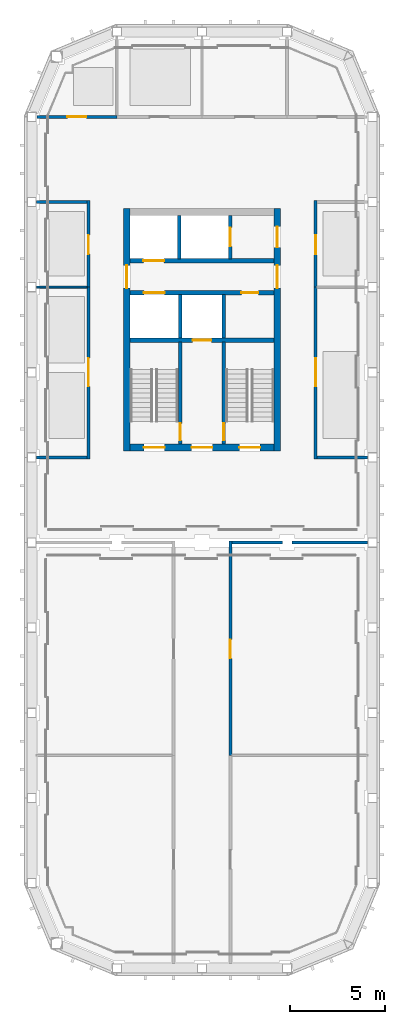
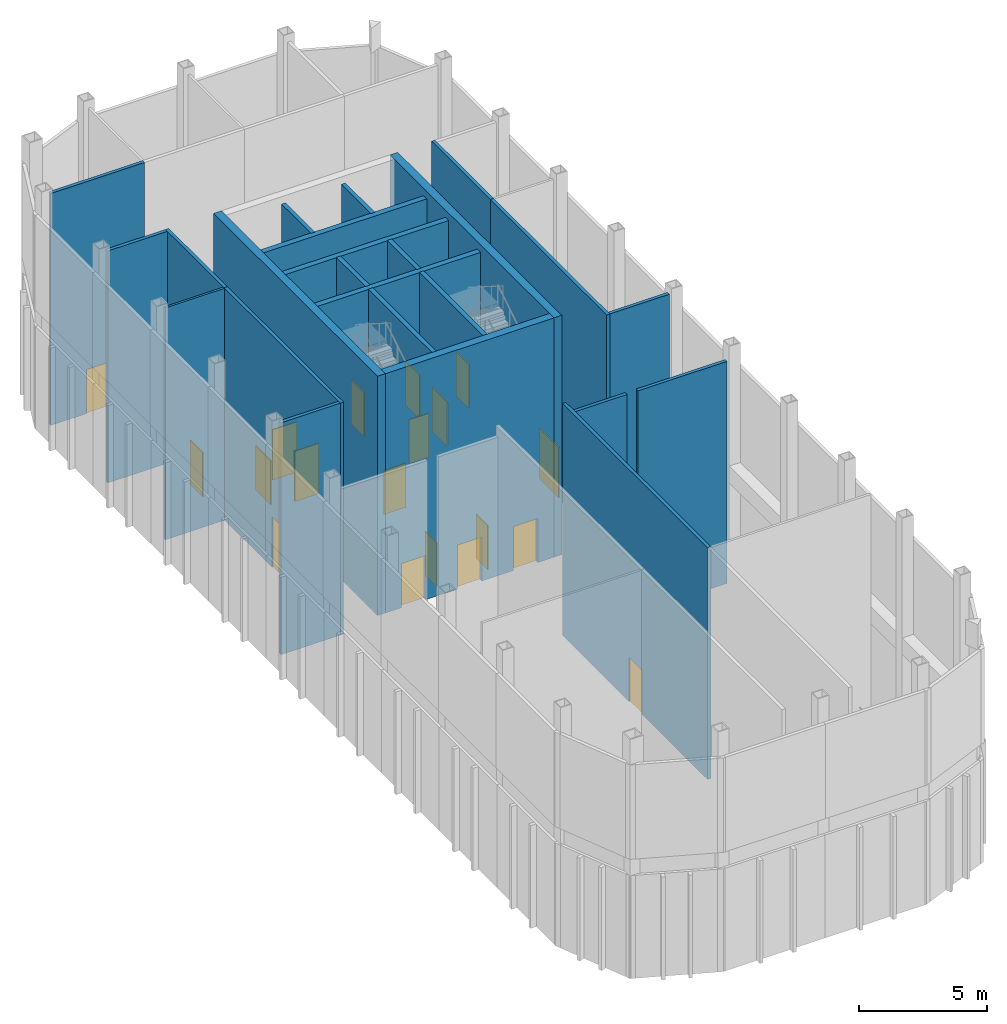
# One storey, part 2 of 8: 24 walls, 19 doors, 19 openings.
"""IFC4 building model written with IfcOpenShell, lengths in metres."""

from ifc_helpers import new_model, si_unit, direction, frame, frame_2d, origin, place, context, subcontext, project, spatial, rectangle, extrude, material, layer, layer_set, type_object, element, fill, save


model = new_model("IFC4")

# Units and contexts
model_context = context("Model", 3, precision=1e-05, world=origin(), true_north=direction((0.0, 1.0)))
body_context = subcontext(model_context, "Body", "Model", "MODEL_VIEW")
ifc_project = project(units=[si_unit("LENGTHUNIT", "METRE"), si_unit("AREAUNIT", "SQUARE_METRE"), si_unit("VOLUMEUNIT", "CUBIC_METRE"), si_unit("PLANEANGLEUNIT", "RADIAN"), si_unit("MASSUNIT", "GRAM", prefix="KILO")], contexts=[model_context])

# Site, building, storey
site_placement = place(None, origin())
site = spatial("IfcSite", under=ifc_project, at=site_placement, CompositionType="ELEMENT")
building_placement = place(site_placement, origin())
building = spatial("IfcBuilding", under=site, at=building_placement, Name="Girih Gate Residences", CompositionType="ELEMENT")
storey_placement = place(building_placement, frame((0.0, 0.0, 235.695068359375)))
storey = spatial("IfcBuildingStorey", under=building, at=storey_placement, Name="L66", CompositionType="ELEMENT", Elevation=235.695068359375)

# Wall, opening, door
ifc_material_1 = material(Name="Gypsum board on steel studs", Category="steel")
ifc_layer_1 = layer(ifc_material_1, 0.14990234375)
ifc_layer_set_1 = layer_set([ifc_layer_1], Name="Compartment wall 150 mm")
wall_type_1 = type_object("IfcWallType", Name="Compartment wall 150 mm", PredefinedType="PARTITIONING", material=ifc_layer_set_1)
wall_1_placement = place(storey_placement, frame((15.0, 36.0, 0.0), z_axis=(0.0, 0.0, 1.0), x_axis=(0.0, -1.0, 0.0)))
wall_1 = element("IfcWall", 1, at=wall_1_placement, inside=storey, type_object=wall_type_1, Name="L66 partition", PredefinedType="PARTITIONING", context=body_context, shape_type="SweptSolid", body=[
    extrude(rectangle(XDim=9.074951171875, YDim=0.14990234375, at=frame_2d((4.53759765625, 0.0))), origin(), (0.0, 0.0, 1.0), 11.050048828125),
])
opening_1_placement = place(wall_1_placement, frame((3.75, 0.0, 0.0)))
opening_1 = element("IfcOpeningElement", 2, at=opening_1_placement, cuts=wall_1, Name="Opening D-L66-S-001", PredefinedType="OPENING", context=body_context, shape_type="SweptSolid", body=[
    extrude(rectangle(XDim=1.5, YDim=2.39990234375, at=frame_2d((0.75, 1.199951171875))), frame((0.0, 0.0849609375, 0.0), z_axis=(0.0, -1.0, 0.0), x_axis=(1.0, 0.0, 0.0)), (0.0, 0.0, 1.0), 0.169921875),
])
ifc_material_2 = material(Name="Painted steel, fire-resisting", Category="steel")
door_type_1 = type_object("IfcDoorType", Name="Plant room door pair 1500x2400 FD60", OperationType="DOUBLE_DOOR_SINGLE_SWING", PredefinedType="DOOR", material=ifc_material_2)
door_1_placement = place(opening_1_placement, origin())
door_1 = element("IfcDoor", 3, at=door_1_placement, inside=storey, type_object=door_type_1, Name="Door L66-001", OperationType="DOUBLE_DOOR_SINGLE_SWING", OverallHeight=2.39990234375, OverallWidth=1.5, PredefinedType="DOOR", context=body_context, shape_type="SweptSolid", body=[
    extrude(rectangle(XDim=1.5, YDim=2.39990234375, at=frame_2d((0.75, 1.199951171875))), frame((0.0, 0.02490234375, 0.0), z_axis=(0.0, -1.0, 0.0), x_axis=(1.0, 0.0, 0.0)), (0.0, 0.0, 1.0), 0.050048828125),
])
fill(opening_1, door_1)

wall_2_placement = place(storey_placement, frame((15.0, 40.574951171875, 0.0), z_axis=(0.0, 0.0, 1.0), x_axis=(0.0, -1.0, 0.0)))
wall_2 = element("IfcWall", 4, at=wall_2_placement, inside=storey, type_object=wall_type_1, Name="L66 partition", PredefinedType="PARTITIONING", context=body_context, shape_type="SweptSolid", body=[
    extrude(rectangle(XDim=4.574951171875, YDim=0.14990234375, at=frame_2d((2.28759765625, 0.0))), origin(), (0.0, 0.0, 1.0), 11.050048828125),
])
opening_2_placement = place(wall_2_placement, frame((1.824951171875, 0.0, 0.0)))
opening_2 = element("IfcOpeningElement", 5, at=opening_2_placement, cuts=wall_2, Name="Opening D-L66-S-002", PredefinedType="OPENING", context=body_context, shape_type="SweptSolid", body=[
    extrude(rectangle(XDim=1.0, YDim=2.10009765625, at=frame_2d((0.5, 1.050048828125))), frame((0.0, 0.0849609375, 0.0), z_axis=(0.0, -1.0, 0.0), x_axis=(1.0, 0.0, 0.0)), (0.0, 0.0, 1.0), 0.169921875),
])
door_type_2 = type_object("IfcDoorType", Name="Plant room door 1000x2100 FD60", OperationType="SINGLE_SWING_LEFT", PredefinedType="DOOR", material=ifc_material_2)
door_2_placement = place(opening_2_placement, origin())
door_2 = element("IfcDoor", 6, at=door_2_placement, inside=storey, type_object=door_type_2, Name="Door L66-002", OperationType="SINGLE_SWING_RIGHT", OverallHeight=2.10009765625, OverallWidth=1.0, PredefinedType="DOOR", context=body_context, shape_type="SweptSolid", body=[
    extrude(rectangle(XDim=1.0, YDim=2.10009765625, at=frame_2d((0.5, 1.050048828125))), frame((0.0, 0.02490234375, 0.0), z_axis=(0.0, -1.0, 0.0), x_axis=(1.0, 0.0, 0.0)), (0.0, 0.0, 1.0), 0.050048828125),
])
fill(opening_2, door_2)

wall_3_placement = place(storey_placement, frame((3.0, 26.925048828125, 0.0), z_axis=(0.0, 0.0, 1.0), x_axis=(0.0, 1.0, 0.0)))
wall_3 = element("IfcWall", 7, at=wall_3_placement, inside=storey, type_object=wall_type_1, Name="L66 partition", PredefinedType="PARTITIONING", context=body_context, shape_type="SweptSolid", body=[
    extrude(rectangle(XDim=9.074951171875, YDim=0.14990234375, at=frame_2d((4.53759765625, 0.0))), origin(), (0.0, 0.0, 1.0), 11.050048828125),
])
opening_3_placement = place(wall_3_placement, frame((3.824951171875, 0.0, 0.0)))
opening_3 = element("IfcOpeningElement", 8, at=opening_3_placement, cuts=wall_3, Name="Opening D-L66-S-003", PredefinedType="OPENING", context=body_context, shape_type="SweptSolid", body=[
    extrude(rectangle(XDim=1.5, YDim=2.39990234375, at=frame_2d((0.75, 1.199951171875))), frame((0.0, 0.0849609375, 0.0), z_axis=(0.0, -1.0, 0.0), x_axis=(1.0, 0.0, 0.0)), (0.0, 0.0, 1.0), 0.169921875),
])
door_3_placement = place(opening_3_placement, origin())
door_3 = element("IfcDoor", 9, at=door_3_placement, inside=storey, type_object=door_type_1, Name="Door L66-003", OperationType="DOUBLE_DOOR_SINGLE_SWING", OverallHeight=2.39990234375, OverallWidth=1.5, PredefinedType="DOOR", context=body_context, shape_type="SweptSolid", body=[
    extrude(rectangle(XDim=1.5, YDim=2.39990234375, at=frame_2d((0.75, 1.199951171875))), frame((0.0, 0.02490234375, 0.0), z_axis=(0.0, -1.0, 0.0), x_axis=(1.0, 0.0, 0.0)), (0.0, 0.0, 1.0), 0.050048828125),
])
fill(opening_3, door_3)

wall_4_placement = place(storey_placement, frame((3.0, 36.0, 0.0), z_axis=(0.0, 0.0, 1.0), x_axis=(0.0, 1.0, 0.0)))
wall_4 = element("IfcWall", 10, at=wall_4_placement, inside=storey, type_object=wall_type_1, Name="L66 partition", PredefinedType="PARTITIONING", context=body_context, shape_type="SweptSolid", body=[
    extrude(rectangle(XDim=4.574951171875, YDim=0.14990234375, at=frame_2d((2.28759765625, 0.0))), origin(), (0.0, 0.0, 1.0), 11.050048828125),
])
opening_4_placement = place(wall_4_placement, frame((1.75, 0.0, 0.0)))
opening_4 = element("IfcOpeningElement", 11, at=opening_4_placement, cuts=wall_4, Name="Opening D-L66-S-004", PredefinedType="OPENING", context=body_context, shape_type="SweptSolid", body=[
    extrude(rectangle(XDim=1.0, YDim=2.10009765625, at=frame_2d((0.5, 1.050048828125))), frame((0.0, 0.0849609375, 0.0), z_axis=(0.0, -1.0, 0.0), x_axis=(1.0, 0.0, 0.0)), (0.0, 0.0, 1.0), 0.169921875),
])
door_4_placement = place(opening_4_placement, origin())
door_4 = element("IfcDoor", 12, at=door_4_placement, inside=storey, type_object=door_type_2, Name="Door L66-004", OperationType="SINGLE_SWING_LEFT", OverallHeight=2.10009765625, OverallWidth=1.0, PredefinedType="DOOR", context=body_context, shape_type="SweptSolid", body=[
    extrude(rectangle(XDim=1.0, YDim=2.10009765625, at=frame_2d((0.5, 1.050048828125))), frame((0.0, 0.02490234375, 0.0), z_axis=(0.0, -1.0, 0.0), x_axis=(1.0, 0.0, 0.0)), (0.0, 0.0, 1.0), 0.050048828125),
])
fill(opening_4, door_4)

# Walls
for number, where, z_axis, x_axis, name in (
    (13, (15.074951171875, 27.0, 0.0), (0.0, 0.0, 1.0), (1.0, 0.0, 0.0), "L66 partition"),
    (14, (0.25, 27.0, 0.0), (0.0, 0.0, 1.0), (1.0, 0.0, 0.0), "L66 partition"),
):
    element("IfcWall", number, at=place(storey_placement, frame(where, z_axis=z_axis, x_axis=x_axis)), inside=storey, type_object=wall_type_1, Name=name, PredefinedType="PARTITIONING", context=body_context, shape_type="SweptSolid", body=[
        extrude(rectangle(XDim=2.675048828125, YDim=0.14990234375, at=frame_2d((1.33740234375, 0.0))), origin(), (0.0, 0.0, 1.0), 11.050048828125),
    ])
wall_5_placement = place(storey_placement, frame((13.75, 22.5, 0.0), z_axis=(0.0, 0.0, 1.0), x_axis=(1.0, 0.0, 0.0)))
element("IfcWall", 15, at=wall_5_placement, inside=storey, type_object=wall_type_1, Name="L66 partition", PredefinedType="PARTITIONING", context=body_context, shape_type="SweptSolid", body=[
    extrude(rectangle(XDim=4.0, YDim=0.14990234375, at=frame_2d((2.0, 0.0))), origin(), (0.0, 0.0, 1.0), 10.579833984375),
])
wall_6_placement = place(storey_placement, frame((10.574951171875, 22.5, 0.0), z_axis=(0.0, 0.0, 1.0), x_axis=(1.0, 0.0, 0.0)))
element("IfcWall", 16, at=wall_6_placement, inside=storey, type_object=wall_type_1, Name="L66 partition", PredefinedType="PARTITIONING", context=body_context, shape_type="SweptSolid", body=[
    extrude(rectangle(XDim=2.675048828125, YDim=0.14990234375, at=frame_2d((1.33740234375, 0.0))), origin(), (0.0, 0.0, 1.0), 10.579833984375),
])

# Wall, opening, door
wall_7_placement = place(storey_placement, frame((0.2705078125, 45.0, 0.0), z_axis=(0.0, 0.0, 1.0), x_axis=(1.0, 0.0, 0.0)))
wall_7 = element("IfcWall", 17, at=wall_7_placement, inside=storey, type_object=wall_type_1, Name="L66 partition", PredefinedType="PARTITIONING", context=body_context, shape_type="SweptSolid", body=[
    extrude(rectangle(XDim=4.2294921875, YDim=0.14990234375, at=frame_2d((2.11474609375, 0.0))), origin(), (0.0, 0.0, 1.0), 11.050048828125),
])
opening_5_placement = place(wall_7_placement, frame((1.61474609375, 0.0, 0.0)))
opening_5 = element("IfcOpeningElement", 18, at=opening_5_placement, cuts=wall_7, Name="Opening D-L66-S-005", PredefinedType="OPENING", context=body_context, shape_type="SweptSolid", body=[
    extrude(rectangle(XDim=1.0, YDim=2.10009765625, at=frame_2d((0.5, 1.050048828125))), frame((0.0, 0.0849609375, 0.0), z_axis=(0.0, -1.0, 0.0), x_axis=(1.0, 0.0, 0.0)), (0.0, 0.0, 1.0), 0.169921875),
])
door_5_placement = place(opening_5_placement, origin())
door_5 = element("IfcDoor", 19, at=door_5_placement, inside=storey, type_object=door_type_2, Name="Door L66-005", OperationType="SINGLE_SWING_RIGHT", OverallHeight=2.10009765625, OverallWidth=1.0, PredefinedType="DOOR", context=body_context, shape_type="SweptSolid", body=[
    extrude(rectangle(XDim=1.0, YDim=2.10009765625, at=frame_2d((0.5, 1.050048828125))), frame((0.0, 0.02490234375, 0.0), z_axis=(0.0, -1.0, 0.0), x_axis=(1.0, 0.0, 0.0)), (0.0, 0.0, 1.0), 0.050048828125),
])
fill(opening_5, door_5)

# Wall
wall_8_placement = place(storey_placement, frame((0.25, 40.5, 0.0), z_axis=(0.0, 0.0, 1.0), x_axis=(1.0, 0.0, 0.0)))
element("IfcWall", 20, at=wall_8_placement, inside=storey, type_object=wall_type_1, Name="L66 partition", PredefinedType="PARTITIONING", context=body_context, shape_type="SweptSolid", body=[
    extrude(rectangle(XDim=2.675048828125, YDim=0.14990234375, at=frame_2d((1.33740234375, 0.0))), origin(), (0.0, 0.0, 1.0), 11.050048828125),
])

# Wall, opening, door
wall_9_placement = place(storey_placement, frame((10.5, 22.574951171875, 0.0), z_axis=(0.0, 0.0, 1.0), x_axis=(0.0, -1.0, 0.0)))
wall_9 = element("IfcWall", 21, at=wall_9_placement, inside=storey, type_object=wall_type_1, Name="L66 partition", PredefinedType="PARTITIONING", context=body_context, shape_type="SweptSolid", body=[
    extrude(rectangle(XDim=11.324951171875, YDim=0.14990234375, at=frame_2d((5.66259765625, 0.0))), origin(), (0.0, 0.0, 1.0), 11.050048828125),
])
opening_6_placement = place(wall_9_placement, frame((5.199951171875, 0.0, 0.0)))
opening_6 = element("IfcOpeningElement", 22, at=opening_6_placement, cuts=wall_9, Name="Opening D-L66-S-012", PredefinedType="OPENING", context=body_context, shape_type="SweptSolid", body=[
    extrude(rectangle(XDim=1.0, YDim=2.10009765625, at=frame_2d((0.5, 1.050048828125))), frame((0.0, 0.0849609375, 0.0), z_axis=(0.0, -1.0, 0.0), x_axis=(1.0, 0.0, 0.0)), (0.0, 0.0, 1.0), 0.169921875),
])
door_6_placement = place(opening_6_placement, origin())
door_6 = element("IfcDoor", 23, at=door_6_placement, inside=storey, type_object=door_type_2, Name="Door L66-012", OperationType="SINGLE_SWING_RIGHT", OverallHeight=2.10009765625, OverallWidth=1.0, PredefinedType="DOOR", context=body_context, shape_type="SweptSolid", body=[
    extrude(rectangle(XDim=1.0, YDim=2.10009765625, at=frame_2d((0.5, 1.050048828125))), frame((0.0, 0.02490234375, 0.0), z_axis=(0.0, -1.0, 0.0), x_axis=(1.0, 0.0, 0.0)), (0.0, 0.0, 1.0), 0.050048828125),
])
fill(opening_6, door_6)

# Wall, openings, doors
ifc_material_3 = material(Name="Concrete C60/75", Category="concrete")
ifc_layer_2 = layer(ifc_material_3, 0.35009765625)
ifc_layer_set_2 = layer_set([ifc_layer_2], Name="Core wall RC 350 Concrete C60/75")
wall_type_2 = type_object("IfcWallType", Name="Core wall RC 350 Concrete C60/75", PredefinedType="SOLIDWALL", material=ifc_layer_set_2)
wall_10_placement = place(storey_placement, frame((5.199951171875, 27.52490234375, 0.0), z_axis=(0.0, 0.0, 1.0), x_axis=(1.0, 0.0, 0.0)))
wall_10 = element("IfcWall", 24, at=wall_10_placement, inside=storey, type_object=wall_type_2, Name="Core wall W-S L66", PredefinedType="SOLIDWALL", context=body_context, shape_type="SweptSolid", body=[
    extrude(rectangle(XDim=7.60009765625, YDim=0.35009765625, at=frame_2d((3.800048828125, 0.0))), origin(), (0.0, 0.0, 1.0), 11.39990234375),
])
opening_7_placement = place(wall_10_placement, frame((0.72509765625, 0.0, 0.0)))
opening_7 = element("IfcOpeningElement", 25, at=opening_7_placement, cuts=wall_10, Name="Opening D-L66-W-008", PredefinedType="OPENING", context=body_context, shape_type="SweptSolid", body=[
    extrude(rectangle(XDim=1.10009765625, YDim=2.10009765625, at=frame_2d((0.550048828125, 1.050048828125))), frame((0.0, 0.18505859375, 0.0), z_axis=(0.0, -1.0, 0.0), x_axis=(1.0, 0.0, 0.0)), (0.0, 0.0, 1.0), 0.3701171875),
])
opening_8_placement = place(wall_10_placement, frame((3.25, 0.0, 0.0)))
opening_8 = element("IfcOpeningElement", 26, at=opening_8_placement, cuts=wall_10, Name="Opening D-L66-W-009", PredefinedType="OPENING", context=body_context, shape_type="SweptSolid", body=[
    extrude(rectangle(XDim=1.10009765625, YDim=2.10009765625, at=frame_2d((0.550048828125, 1.050048828125))), frame((0.0, 0.18505859375, 0.0), z_axis=(0.0, -1.0, 0.0), x_axis=(1.0, 0.0, 0.0)), (0.0, 0.0, 1.0), 0.3701171875),
])
opening_9_placement = place(wall_10_placement, frame((5.77490234375, 0.0, 0.0)))
opening_9 = element("IfcOpeningElement", 27, at=opening_9_placement, cuts=wall_10, Name="Opening D-L66-W-010", PredefinedType="OPENING", context=body_context, shape_type="SweptSolid", body=[
    extrude(rectangle(XDim=1.10009765625, YDim=2.10009765625, at=frame_2d((0.550048828125, 1.050048828125))), frame((0.0, 0.18505859375, 0.0), z_axis=(0.0, -1.0, 0.0), x_axis=(1.0, 0.0, 0.0)), (0.0, 0.0, 1.0), 0.3701171875),
])
door_type_3 = type_object("IfcDoorType", Name="Fire door 1100x2100", OperationType="SINGLE_SWING_LEFT", PredefinedType="DOOR", material=ifc_material_2)
door_7_placement = place(opening_7_placement, origin())
door_7 = element("IfcDoor", 28, at=door_7_placement, inside=storey, type_object=door_type_3, Name="L66 W core door sta-out", OperationType="SINGLE_SWING_LEFT", OverallHeight=2.10009765625, OverallWidth=1.10009765625, PredefinedType="DOOR", context=body_context, shape_type="SweptSolid", body=[
    extrude(rectangle(XDim=1.10009765625, YDim=2.10009765625, at=frame_2d((0.550048828125, 1.050048828125))), frame((0.0, 0.02490234375, 0.0), z_axis=(0.0, -1.0, 0.0), x_axis=(1.0, 0.0, 0.0)), (0.0, 0.0, 1.0), 0.050048828125),
])
fill(opening_7, door_7)
door_8_placement = place(opening_8_placement, origin())
door_8 = element("IfcDoor", 29, at=door_8_placement, inside=storey, type_object=door_type_3, Name="L66 W core door ffl-out", OperationType="SINGLE_SWING_LEFT", OverallHeight=2.10009765625, OverallWidth=1.10009765625, PredefinedType="DOOR", context=body_context, shape_type="SweptSolid", body=[
    extrude(rectangle(XDim=1.10009765625, YDim=2.10009765625, at=frame_2d((0.550048828125, 1.050048828125))), frame((0.0, 0.02490234375, 0.0), z_axis=(0.0, -1.0, 0.0), x_axis=(1.0, 0.0, 0.0)), (0.0, 0.0, 1.0), 0.050048828125),
])
fill(opening_8, door_8)
door_9_placement = place(opening_9_placement, origin())
door_9 = element("IfcDoor", 30, at=door_9_placement, inside=storey, type_object=door_type_3, Name="L66 W core door stb-out", OperationType="SINGLE_SWING_LEFT", OverallHeight=2.10009765625, OverallWidth=1.10009765625, PredefinedType="DOOR", context=body_context, shape_type="SweptSolid", body=[
    extrude(rectangle(XDim=1.10009765625, YDim=2.10009765625, at=frame_2d((0.550048828125, 1.050048828125))), frame((0.0, 0.02490234375, 0.0), z_axis=(0.0, -1.0, 0.0), x_axis=(1.0, 0.0, 0.0)), (0.0, 0.0, 1.0), 0.050048828125),
])
fill(opening_9, door_9)

# Wall, opening, door
wall_11_placement = place(storey_placement, frame((5.02490234375, 27.35009765625, 0.0), z_axis=(0.0, 0.0, 1.0), x_axis=(0.0, 1.0, 0.0)))
wall_11 = element("IfcWall", 31, at=wall_11_placement, inside=storey, type_object=wall_type_2, Name="Core wall W-W L66", PredefinedType="SOLIDWALL", context=body_context, shape_type="SweptSolid", body=[
    extrude(rectangle(XDim=12.7998046875, YDim=0.35009765625, at=frame_2d((6.39990234375, 0.0))), origin(), (0.0, 0.0, 1.0), 11.39990234375),
])
opening_10_placement = place(wall_11_placement, frame((8.60009765625, 0.0, 0.0)))
opening_10 = element("IfcOpeningElement", 32, at=opening_10_placement, cuts=wall_11, Name="Opening D-L66-W-012", PredefinedType="OPENING", context=body_context, shape_type="SweptSolid", body=[
    extrude(rectangle(XDim=1.199951171875, YDim=2.10009765625, at=frame_2d((0.60009765625, 1.050048828125))), frame((0.0, 0.18505859375, 0.0), z_axis=(0.0, -1.0, 0.0), x_axis=(1.0, 0.0, 0.0)), (0.0, 0.0, 1.0), 0.3701171875),
])
door_type_4 = type_object("IfcDoorType", Name="Fire door 1200x2100", OperationType="SINGLE_SWING_LEFT", PredefinedType="DOOR", material=ifc_material_2)
door_10_placement = place(opening_10_placement, origin())
door_10 = element("IfcDoor", 33, at=door_10_placement, inside=storey, type_object=door_type_4, Name="L66 W core door ll-w", OperationType="SINGLE_SWING_LEFT", OverallHeight=2.10009765625, OverallWidth=1.199951171875, PredefinedType="DOOR", context=body_context, shape_type="SweptSolid", body=[
    extrude(rectangle(XDim=1.199951171875, YDim=2.10009765625, at=frame_2d((0.60009765625, 1.050048828125))), frame((0.0, 0.02490234375, 0.0), z_axis=(0.0, -1.0, 0.0), x_axis=(1.0, 0.0, 0.0)), (0.0, 0.0, 1.0), 0.050048828125),
])
fill(opening_10, door_10)

# Wall, openings, doors
wall_12_placement = place(storey_placement, frame((12.97509765625, 27.35009765625, 0.0), z_axis=(0.0, 0.0, 1.0), x_axis=(0.0, 1.0, 0.0)))
wall_12 = element("IfcWall", 34, at=wall_12_placement, inside=storey, type_object=wall_type_2, Name="Core wall W-E L66", PredefinedType="SOLIDWALL", context=body_context, shape_type="SweptSolid", body=[
    extrude(rectangle(XDim=12.7998046875, YDim=0.35009765625, at=frame_2d((6.39990234375, 0.0))), origin(), (0.0, 0.0, 1.0), 11.39990234375),
])
opening_11_placement = place(wall_12_placement, frame((10.75, 0.0, 0.0)))
opening_11 = element("IfcOpeningElement", 35, at=opening_11_placement, cuts=wall_12, Name="Opening D-L66-W-011", PredefinedType="OPENING", context=body_context, shape_type="SweptSolid", body=[
    extrude(rectangle(XDim=1.10009765625, YDim=2.10009765625, at=frame_2d((0.550048828125, 1.050048828125))), frame((0.0, 0.18505859375, 0.0), z_axis=(0.0, -1.0, 0.0), x_axis=(1.0, 0.0, 0.0)), (0.0, 0.0, 1.0), 0.3701171875),
])
opening_12_placement = place(wall_12_placement, frame((8.60009765625, 0.0, 0.0)))
opening_12 = element("IfcOpeningElement", 36, at=opening_12_placement, cuts=wall_12, Name="Opening D-L66-W-013", PredefinedType="OPENING", context=body_context, shape_type="SweptSolid", body=[
    extrude(rectangle(XDim=1.199951171875, YDim=2.10009765625, at=frame_2d((0.60009765625, 1.050048828125))), frame((0.0, 0.18505859375, 0.0), z_axis=(0.0, -1.0, 0.0), x_axis=(1.0, 0.0, 0.0)), (0.0, 0.0, 1.0), 0.3701171875),
])
door_11_placement = place(opening_11_placement, origin())
door_11 = element("IfcDoor", 37, at=door_11_placement, inside=storey, type_object=door_type_3, Name="L66 W core door ffl2-e", OperationType="SINGLE_SWING_LEFT", OverallHeight=2.10009765625, OverallWidth=1.10009765625, PredefinedType="DOOR", context=body_context, shape_type="SweptSolid", body=[
    extrude(rectangle(XDim=1.10009765625, YDim=2.10009765625, at=frame_2d((0.550048828125, 1.050048828125))), frame((0.0, 0.02490234375, 0.0), z_axis=(0.0, -1.0, 0.0), x_axis=(1.0, 0.0, 0.0)), (0.0, 0.0, 1.0), 0.050048828125),
])
fill(opening_11, door_11)
door_12_placement = place(opening_12_placement, origin())
door_12 = element("IfcDoor", 38, at=door_12_placement, inside=storey, type_object=door_type_4, Name="L66 W core door ll-e", OperationType="SINGLE_SWING_LEFT", OverallHeight=2.10009765625, OverallWidth=1.199951171875, PredefinedType="DOOR", context=body_context, shape_type="SweptSolid", body=[
    extrude(rectangle(XDim=1.199951171875, YDim=2.10009765625, at=frame_2d((0.60009765625, 1.050048828125))), frame((0.0, 0.02490234375, 0.0), z_axis=(0.0, -1.0, 0.0), x_axis=(1.0, 0.0, 0.0)), (0.0, 0.0, 1.0), 0.050048828125),
])
fill(opening_12, door_12)

# Wall, opening, door
ifc_material_4 = material(Name="Concrete C40/50", Category="concrete")
ifc_layer_3 = layer(ifc_material_4, 0.25)
ifc_layer_set_3 = layer_set([ifc_layer_3], Name="Lift shaft wall 250")
wall_type_3 = type_object("IfcWallType", Name="Lift shaft wall 250", PredefinedType="SOLIDWALL", material=ifc_layer_set_3)
wall_13_placement = place(storey_placement, frame((5.199951171875, 33.199951171875, 0.0), z_axis=(0.0, 0.0, 1.0), x_axis=(1.0, 0.0, 0.0)))
wall_13 = element("IfcWall", 39, at=wall_13_placement, inside=storey, type_object=wall_type_3, Name="L66 W core wall H1", PredefinedType="SOLIDWALL", context=body_context, shape_type="SweptSolid", body=[
    extrude(rectangle(XDim=7.60009765625, YDim=0.25, at=frame_2d((3.800048828125, 0.0))), origin(), (0.0, 0.0, 1.0), 11.050048828125),
])
opening_13_placement = place(wall_13_placement, frame((3.300048828125, 0.0, 0.0)))
opening_13 = element("IfcOpeningElement", 40, at=opening_13_placement, cuts=wall_13, Name="Opening D-L66-W-006", PredefinedType="OPENING", context=body_context, shape_type="SweptSolid", body=[
    extrude(rectangle(XDim=1.0, YDim=2.10009765625, at=frame_2d((0.5, 1.050048828125))), frame((0.0, 0.135009765625, 0.0), z_axis=(0.0, -1.0, 0.0), x_axis=(1.0, 0.0, 0.0)), (0.0, 0.0, 1.0), 0.27001953125),
])
ifc_material_5 = material(Name="Stainless steel, fire-resisting", Category="steel")
door_type_5 = type_object("IfcDoorType", Name="Firefighting lift landing door 1000x2100", OperationType="SLIDING_TO_LEFT", PredefinedType="DOOR", material=ifc_material_5)
door_13_placement = place(opening_13_placement, origin())
door_13 = element("IfcDoor", 41, at=door_13_placement, inside=storey, type_object=door_type_5, Name="L66 lift FF-W landing door", OperationType="SLIDING_TO_LEFT", OverallHeight=2.10009765625, OverallWidth=1.0, PredefinedType="DOOR", context=body_context, shape_type="SweptSolid", body=[
    extrude(rectangle(XDim=1.0, YDim=2.10009765625, at=frame_2d((0.5, 1.050048828125))), frame((0.0, 0.02490234375, 0.0), z_axis=(0.0, -1.0, 0.0), x_axis=(1.0, 0.0, 0.0)), (0.0, 0.0, 1.0), 0.050048828125),
])
fill(opening_13, door_13)

# Wall, openings, doors
wall_14_placement = place(storey_placement, frame((5.199951171875, 35.699951171875, 0.0), z_axis=(0.0, 0.0, 1.0), x_axis=(1.0, 0.0, 0.0)))
wall_14 = element("IfcWall", 42, at=wall_14_placement, inside=storey, type_object=wall_type_3, Name="L66 W core wall H2", PredefinedType="SOLIDWALL", context=body_context, shape_type="SweptSolid", body=[
    extrude(rectangle(XDim=7.60009765625, YDim=0.25, at=frame_2d((3.800048828125, 0.0))), origin(), (0.0, 0.0, 1.0), 11.050048828125),
])
opening_14_placement = place(wall_14_placement, frame((0.72509765625, 0.0, 0.0)))
opening_14 = element("IfcOpeningElement", 43, at=opening_14_placement, cuts=wall_14, Name="Opening D-L66-W-005", PredefinedType="OPENING", context=body_context, shape_type="SweptSolid", body=[
    extrude(rectangle(XDim=1.10009765625, YDim=2.39990234375, at=frame_2d((0.550048828125, 1.199951171875))), frame((0.0, 0.135009765625, 0.0), z_axis=(0.0, -1.0, 0.0), x_axis=(1.0, 0.0, 0.0)), (0.0, 0.0, 1.0), 0.27001953125),
])
opening_15_placement = place(wall_14_placement, frame((5.875, 0.0, 0.0)))
opening_15 = element("IfcOpeningElement", 44, at=opening_15_placement, cuts=wall_14, Name="Opening D-L66-W-007", PredefinedType="OPENING", context=body_context, shape_type="SweptSolid", body=[
    extrude(rectangle(XDim=0.89990234375, YDim=2.10009765625, at=frame_2d((0.449951171875, 1.050048828125))), frame((0.0, 0.135009765625, 0.0), z_axis=(0.0, -1.0, 0.0), x_axis=(1.0, 0.0, 0.0)), (0.0, 0.0, 1.0), 0.27001953125),
])
door_type_6 = type_object("IfcDoorType", Name="Fire door 900x2100", OperationType="SINGLE_SWING_LEFT", PredefinedType="DOOR", material=ifc_material_2)
door_14_placement = place(opening_15_placement, origin())
door_14 = element("IfcDoor", 45, at=door_14_placement, inside=storey, type_object=door_type_6, Name="L66 W store door", OperationType="SINGLE_SWING_LEFT", OverallHeight=2.10009765625, OverallWidth=0.89990234375, PredefinedType="DOOR", context=body_context, shape_type="SweptSolid", body=[
    extrude(rectangle(XDim=0.89990234375, YDim=2.10009765625, at=frame_2d((0.449951171875, 1.050048828125))), frame((0.0, 0.02490234375, 0.0), z_axis=(0.0, -1.0, 0.0), x_axis=(1.0, 0.0, 0.0)), (0.0, 0.0, 1.0), 0.050048828125),
])
fill(opening_15, door_14)
ifc_material_6 = material(Name="Stainless steel", Category="steel")
door_type_7 = type_object("IfcDoorType", Name="Lift landing door 1100x2400", OperationType="SLIDING_TO_LEFT", PredefinedType="DOOR", material=ifc_material_6)
door_15_placement = place(opening_14_placement, origin())
door_15 = element("IfcDoor", 46, at=door_15_placement, inside=storey, type_object=door_type_7, Name="L66 lift HR-W1 landing door", OperationType="SLIDING_TO_LEFT", OverallHeight=2.39990234375, OverallWidth=1.10009765625, PredefinedType="DOOR", context=body_context, shape_type="SweptSolid", body=[
    extrude(rectangle(XDim=1.10009765625, YDim=2.39990234375, at=frame_2d((0.550048828125, 1.199951171875))), frame((0.0, 0.02490234375, 0.0), z_axis=(0.0, -1.0, 0.0), x_axis=(1.0, 0.0, 0.0)), (0.0, 0.0, 1.0), 0.050048828125),
])
fill(opening_14, door_15)

# Wall, opening, door
wall_15_placement = place(storey_placement, frame((5.199951171875, 37.39990234375, 0.0), z_axis=(0.0, 0.0, 1.0), x_axis=(1.0, 0.0, 0.0)))
wall_15 = element("IfcWall", 47, at=wall_15_placement, inside=storey, type_object=wall_type_3, Name="L66 W core wall H3", PredefinedType="SOLIDWALL", context=body_context, shape_type="SweptSolid", body=[
    extrude(rectangle(XDim=7.60009765625, YDim=0.25, at=frame_2d((3.800048828125, 0.0))), origin(), (0.0, 0.0, 1.0), 11.050048828125),
])
opening_16_placement = place(wall_15_placement, frame((0.699951171875, 0.0, 0.0)))
opening_16 = element("IfcOpeningElement", 48, at=opening_16_placement, cuts=wall_15, Name="Opening D-L66-W-003", PredefinedType="OPENING", context=body_context, shape_type="SweptSolid", body=[
    extrude(rectangle(XDim=1.10009765625, YDim=2.39990234375, at=frame_2d((0.550048828125, 1.199951171875))), frame((0.0, 0.135009765625, 0.0), z_axis=(0.0, -1.0, 0.0), x_axis=(1.0, 0.0, 0.0)), (0.0, 0.0, 1.0), 0.27001953125),
])
door_16_placement = place(opening_16_placement, origin())
door_16 = element("IfcDoor", 49, at=door_16_placement, inside=storey, type_object=door_type_7, Name="L66 lift LR-W1 landing door", OperationType="SLIDING_TO_LEFT", OverallHeight=2.39990234375, OverallWidth=1.10009765625, PredefinedType="DOOR", context=body_context, shape_type="SweptSolid", body=[
    extrude(rectangle(XDim=1.10009765625, YDim=2.39990234375, at=frame_2d((0.550048828125, 1.199951171875))), frame((0.0, 0.02490234375, 0.0), z_axis=(0.0, -1.0, 0.0), x_axis=(1.0, 0.0, 0.0)), (0.0, 0.0, 1.0), 0.050048828125),
])
fill(opening_16, door_16)

# Walls
ifc_layer_4 = layer(ifc_material_1, 0.10009765625)
ifc_layer_set_4 = layer_set([ifc_layer_4], Name="Partition 100 mm")
wall_type_4 = type_object("IfcWallType", Name="Partition 100 mm", PredefinedType="PARTITIONING", material=ifc_layer_set_4)
wall_16_placement = place(storey_placement, frame((0.25, 36.0, 0.0), z_axis=(0.0, 0.0, 1.0), x_axis=(1.0, 0.0, 0.0)))
element("IfcWall", 50, at=wall_16_placement, inside=storey, type_object=wall_type_4, Name="L66 partition", PredefinedType="PARTITIONING", context=body_context, shape_type="SweptSolid", body=[
    extrude(rectangle(XDim=2.675048828125, YDim=0.10009765625, at=frame_2d((1.33740234375, 0.0))), origin(), (0.0, 0.0, 1.0), 11.050048828125),
])
ifc_layer_5 = layer(ifc_material_4, 0.175048828125)
ifc_layer_set_5 = layer_set([ifc_layer_5], Name="Riser shaft wall 175")
wall_type_5 = type_object("IfcWallType", Name="Riser shaft wall 175", PredefinedType="SOLIDWALL", material=ifc_layer_set_5)
wall_17_placement = place(storey_placement, frame((7.800048828125, 37.5, 0.0), z_axis=(0.0, 0.0, 1.0), x_axis=(0.0, 1.0, 0.0)))
element("IfcWall", 51, at=wall_17_placement, inside=storey, type_object=wall_type_5, Name="L66 W core wall V1c", PredefinedType="SOLIDWALL", context=body_context, shape_type="SweptSolid", body=[
    extrude(rectangle(XDim=2.300048828125, YDim=0.175048828125, at=frame_2d((1.14990234375, 0.0))), origin(), (0.0, 0.0, 1.0), 11.050048828125),
])

# Wall, opening, door
wall_18_placement = place(storey_placement, frame((10.5, 37.5, 0.0), z_axis=(0.0, 0.0, 1.0), x_axis=(0.0, 1.0, 0.0)))
wall_18 = element("IfcWall", 52, at=wall_18_placement, inside=storey, type_object=wall_type_5, Name="L66 W core wall V2c", PredefinedType="SOLIDWALL", context=body_context, shape_type="SweptSolid", body=[
    extrude(rectangle(XDim=2.300048828125, YDim=0.175048828125, at=frame_2d((1.14990234375, 0.0))), origin(), (0.0, 0.0, 1.0), 11.050048828125),
])
opening_17_placement = place(wall_18_placement, frame((0.64990234375, 0.0, 0.0)))
opening_17 = element("IfcOpeningElement", 53, at=opening_17_placement, cuts=wall_18, Name="Opening D-L66-W-004", PredefinedType="OPENING", context=body_context, shape_type="SweptSolid", body=[
    extrude(rectangle(XDim=1.0, YDim=2.10009765625, at=frame_2d((0.5, 1.050048828125))), frame((0.0, 0.097412109375, 0.0), z_axis=(0.0, -1.0, 0.0), x_axis=(1.0, 0.0, 0.0)), (0.0, 0.0, 1.0), 0.195068359375),
])
door_17_placement = place(opening_17_placement, origin())
door_17 = element("IfcDoor", 54, at=door_17_placement, inside=storey, type_object=door_type_5, Name="L66 lift FF-W2 landing door", OperationType="SLIDING_TO_LEFT", OverallHeight=2.10009765625, OverallWidth=1.0, PredefinedType="DOOR", context=body_context, shape_type="SweptSolid", body=[
    extrude(rectangle(XDim=1.0, YDim=2.10009765625, at=frame_2d((0.5, 1.050048828125))), frame((0.0, 0.02490234375, 0.0), z_axis=(0.0, -1.0, 0.0), x_axis=(1.0, 0.0, 0.0)), (0.0, 0.0, 1.0), 0.050048828125),
])
fill(opening_17, door_17)

ifc_layer_6 = layer(ifc_material_4, 0.199951171875)
ifc_layer_set_6 = layer_set([ifc_layer_6], Name="Shaft wall 200")
wall_type_6 = type_object("IfcWallType", Name="Shaft wall 200", PredefinedType="SOLIDWALL", material=ifc_layer_set_6)
wall_19_placement = place(storey_placement, frame((7.85009765625, 27.699951171875, 0.0), z_axis=(0.0, 0.0, 1.0), x_axis=(0.0, 1.0, 0.0)))
wall_19 = element("IfcWall", 55, at=wall_19_placement, inside=storey, type_object=wall_type_6, Name="L66 W core wall V1a", PredefinedType="SOLIDWALL", context=body_context, shape_type="SweptSolid", body=[
    extrude(rectangle(XDim=5.400146484375, YDim=0.199951171875, at=frame_2d((2.7001953125, 0.0))), origin(), (0.0, 0.0, 1.0), 11.050048828125),
])
opening_18_placement = place(wall_19_placement, frame((0.199951171875, 0.0, 0.0)))
opening_18 = element("IfcOpeningElement", 56, at=opening_18_placement, cuts=wall_19, Name="Opening D-L66-W-001", PredefinedType="OPENING", context=body_context, shape_type="SweptSolid", body=[
    extrude(rectangle(XDim=0.89990234375, YDim=2.10009765625, at=frame_2d((0.449951171875, 1.050048828125))), frame((0.0, 0.10986328125, 0.0), z_axis=(0.0, -1.0, 0.0), x_axis=(1.0, 0.0, 0.0)), (0.0, 0.0, 1.0), 0.219970703125),
])
door_18_placement = place(opening_18_placement, origin())
door_18 = element("IfcDoor", 57, at=door_18_placement, inside=storey, type_object=door_type_6, Name="L66 W door stair 1 to firefighting lobby", OperationType="SINGLE_SWING_LEFT", OverallHeight=2.10009765625, OverallWidth=0.89990234375, PredefinedType="DOOR", context=body_context, shape_type="SweptSolid", body=[
    extrude(rectangle(XDim=0.89990234375, YDim=2.10009765625, at=frame_2d((0.449951171875, 1.050048828125))), frame((0.0, 0.02490234375, 0.0), z_axis=(0.0, -1.0, 0.0), x_axis=(1.0, 0.0, 0.0)), (0.0, 0.0, 1.0), 0.050048828125),
])
fill(opening_18, door_18)

wall_20_placement = place(storey_placement, frame((10.14990234375, 27.699951171875, 0.0), z_axis=(0.0, 0.0, 1.0), x_axis=(0.0, 1.0, 0.0)))
wall_20 = element("IfcWall", 58, at=wall_20_placement, inside=storey, type_object=wall_type_6, Name="L66 W core wall V2a", PredefinedType="SOLIDWALL", context=body_context, shape_type="SweptSolid", body=[
    extrude(rectangle(XDim=5.400146484375, YDim=0.199951171875, at=frame_2d((2.7001953125, 0.0))), origin(), (0.0, 0.0, 1.0), 11.050048828125),
])
opening_19_placement = place(wall_20_placement, frame((0.199951171875, 0.0, 0.0)))
opening_19 = element("IfcOpeningElement", 59, at=opening_19_placement, cuts=wall_20, Name="Opening D-L66-W-002", PredefinedType="OPENING", context=body_context, shape_type="SweptSolid", body=[
    extrude(rectangle(XDim=0.89990234375, YDim=2.10009765625, at=frame_2d((0.449951171875, 1.050048828125))), frame((0.0, 0.10986328125, 0.0), z_axis=(0.0, -1.0, 0.0), x_axis=(1.0, 0.0, 0.0)), (0.0, 0.0, 1.0), 0.219970703125),
])
door_19_placement = place(opening_19_placement, origin())
door_19 = element("IfcDoor", 60, at=door_19_placement, inside=storey, type_object=door_type_6, Name="L66 W door stair 2 to firefighting lobby", OperationType="SINGLE_SWING_LEFT", OverallHeight=2.10009765625, OverallWidth=0.89990234375, PredefinedType="DOOR", context=body_context, shape_type="SweptSolid", body=[
    extrude(rectangle(XDim=0.89990234375, YDim=2.10009765625, at=frame_2d((0.449951171875, 1.050048828125))), frame((0.0, 0.02490234375, 0.0), z_axis=(0.0, -1.0, 0.0), x_axis=(1.0, 0.0, 0.0)), (0.0, 0.0, 1.0), 0.050048828125),
])
fill(opening_19, door_19)

# Walls
for number, where, z_axis, x_axis, name in (
    (61, (7.85009765625, 33.300048828125, 0.0), (0.0, 0.0, 1.0), (0.0, 1.0, 0.0), "L66 W core wall V1b"),
    (62, (10.14990234375, 33.300048828125, 0.0), (0.0, 0.0, 1.0), (0.0, 1.0, 0.0), "L66 W core wall V2b"),
):
    element("IfcWall", number, at=place(storey_placement, frame(where, z_axis=z_axis, x_axis=x_axis)), inside=storey, type_object=wall_type_6, Name=name, PredefinedType="SOLIDWALL", context=body_context, shape_type="SweptSolid", body=[
        extrude(rectangle(XDim=2.300048828125, YDim=0.199951171875, at=frame_2d((1.14990234375, 0.0))), origin(), (0.0, 0.0, 1.0), 11.050048828125),
    ])

save(model, "model.ifc")
